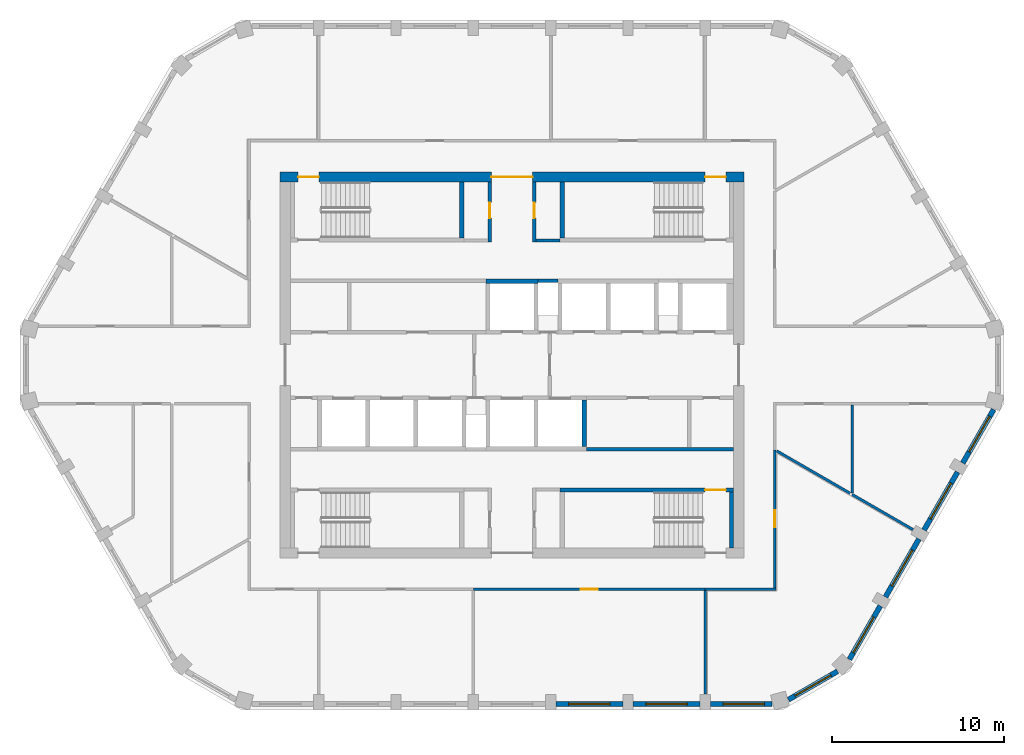
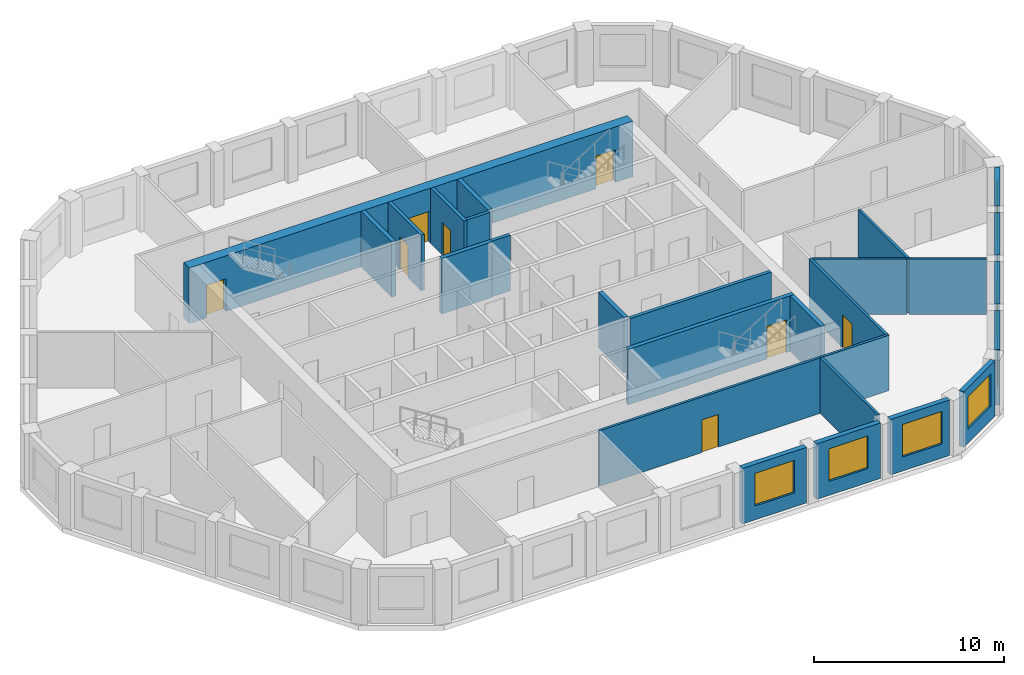
# One storey, part 4 of 10: 27 walls, 8 doors, 8 windows, 16 openings.
"""IFC4 building model written with IfcOpenShell, lengths in metres."""

from ifc_helpers import new_model, si_unit, direction, frame, frame_2d, origin, place, context, subcontext, project, spatial, polyline, rectangle, outline, extrude, material, layer, layer_set, type_object, element, fill, save


model = new_model("IFC4")

# Units and contexts
model_context = context("Model", 3, precision=1e-05, world=origin(), true_north=direction((0.0, 1.0)))
body_context = subcontext(model_context, "Body", "Model", "MODEL_VIEW")
ifc_project = project(units=[si_unit("LENGTHUNIT", "METRE"), si_unit("AREAUNIT", "SQUARE_METRE"), si_unit("VOLUMEUNIT", "CUBIC_METRE"), si_unit("PLANEANGLEUNIT", "RADIAN"), si_unit("MASSUNIT", "GRAM", prefix="KILO")], contexts=[model_context])

# Site, building, storey
site_placement = place(None, origin())
site = spatial("IfcSite", under=ifc_project, at=site_placement, CompositionType="ELEMENT")
building_placement = place(site_placement, origin())
building = spatial("IfcBuilding", under=site, at=building_placement, Name="Dhurran Vertical Campus", CompositionType="ELEMENT")
storey_placement = place(building_placement, frame((0.0, 0.0, 298.199951171875)))
storey = spatial("IfcBuildingStorey", under=building, at=storey_placement, Name="L74", CompositionType="ELEMENT", Elevation=298.199951171875)

# Wall, opening, window
ifc_material_1 = material(Name="Precast concrete C50/60", Category="concrete")
ifc_layer_1 = layer(ifc_material_1, 0.300048828125)
ifc_layer_set_1 = layer_set([ifc_layer_1], Name="Precast concrete C50/60")
wall_type_1 = type_object("IfcWallType", Name="Precast spandrel wall 300", PredefinedType="SOLIDWALL", material=ifc_layer_set_1)
wall_1_placement = place(storey_placement, frame((2.550537109375, -19.738525390625, 0.0), z_axis=(0.0, 0.0, 1.0), x_axis=(1.0, 0.0, 0.0)))
wall_1 = element("IfcWall", 1, at=wall_1_placement, inside=storey, type_object=wall_type_1, Name="EW1 L74.04", PredefinedType="SOLIDWALL", context=body_context, shape_type="SweptSolid", body=[
    extrude(rectangle(XDim=3.89892578125, YDim=0.300048828125, at=frame_2d((1.949462890625, 0.0))), origin(), (0.0, 0.0, 1.0), 3.574951171875),
])
opening_1_placement = place(wall_1_placement, frame((0.74951171875, 0.0, 0.89990234375)))
opening_1 = element("IfcOpeningElement", 2, at=opening_1_placement, cuts=wall_1, Name="Opening WT1", PredefinedType="OPENING", context=body_context, shape_type="SweptSolid", body=[
    extrude(rectangle(XDim=2.39990234375, YDim=2.10009765625, at=frame_2d((1.199951171875, 1.050048828125))), frame((0.0, 0.159912109375, 0.0), z_axis=(0.0, -1.0, 0.0), x_axis=(1.0, 0.0, 0.0)), (0.0, 0.0, 1.0), 0.320068359375),
])
ifc_material_2 = material(Name="Aluminium frame with solar-control glass", Category="aluminium")
window_type = type_object("IfcWindowType", Name="Punched window 2400 x 2100", PartitioningType="SINGLE_PANEL", PredefinedType="WINDOW", material=ifc_material_2)
window_1_placement = place(opening_1_placement, origin())
window_1 = element("IfcWindow", 3, at=window_1_placement, inside=storey, type_object=window_type, Name="WT1 L74.04", OverallHeight=2.10009765625, OverallWidth=2.39990234375, PartitioningType="SINGLE_PANEL", PredefinedType="WINDOW", context=body_context, shape_type="SweptSolid", body=[
    extrude(rectangle(XDim=2.39990234375, YDim=2.10009765625, at=frame_2d((1.199951171875, 1.050048828125))), frame((0.0, 0.030029296875, 0.0), z_axis=(0.0, -1.0, 0.0), x_axis=(1.0, 0.0, 0.0)), (0.0, 0.0, 1.0), 0.06005859375),
])
fill(opening_1, window_1)

wall_2_placement = place(storey_placement, frame((7.050537109375, -19.738525390625, 0.0), z_axis=(0.0, 0.0, 1.0), x_axis=(1.0, 0.0, 0.0)))
wall_2 = element("IfcWall", 4, at=wall_2_placement, inside=storey, type_object=wall_type_1, Name="EW1 L74.05", PredefinedType="SOLIDWALL", context=body_context, shape_type="SweptSolid", body=[
    extrude(rectangle(XDim=3.89892578125, YDim=0.300048828125, at=frame_2d((1.949462890625, 0.0))), origin(), (0.0, 0.0, 1.0), 3.574951171875),
])
opening_2_placement = place(wall_2_placement, frame((0.74951171875, 0.0, 0.89990234375)))
opening_2 = element("IfcOpeningElement", 5, at=opening_2_placement, cuts=wall_2, Name="Opening WT1", PredefinedType="OPENING", context=body_context, shape_type="SweptSolid", body=[
    extrude(rectangle(XDim=2.39990234375, YDim=2.10009765625, at=frame_2d((1.199951171875, 1.050048828125))), frame((0.0, 0.159912109375, 0.0), z_axis=(0.0, -1.0, 0.0), x_axis=(1.0, 0.0, 0.0)), (0.0, 0.0, 1.0), 0.320068359375),
])
window_2_placement = place(opening_2_placement, origin())
window_2 = element("IfcWindow", 6, at=window_2_placement, inside=storey, type_object=window_type, Name="WT1 L74.05", OverallHeight=2.10009765625, OverallWidth=2.39990234375, PartitioningType="SINGLE_PANEL", PredefinedType="WINDOW", context=body_context, shape_type="SweptSolid", body=[
    extrude(rectangle(XDim=2.39990234375, YDim=2.10009765625, at=frame_2d((1.199951171875, 1.050048828125))), frame((0.0, 0.030029296875, 0.0), z_axis=(0.0, -1.0, 0.0), x_axis=(1.0, 0.0, 0.0)), (0.0, 0.0, 1.0), 0.06005859375),
])
fill(opening_2, window_2)

wall_3_placement = place(storey_placement, frame((11.550537109375, -19.738525390625, 0.0), z_axis=(0.0, 0.0, 1.0), x_axis=(1.0, 0.0, 0.0)))
wall_3 = element("IfcWall", 7, at=wall_3_placement, inside=storey, type_object=wall_type_1, Name="EW1 L74.06", PredefinedType="SOLIDWALL", context=body_context, shape_type="SweptSolid", body=[
    extrude(rectangle(XDim=3.599365234375, YDim=0.300048828125, at=frame_2d((1.7998046875, 0.0))), origin(), (0.0, 0.0, 1.0), 3.574951171875),
])
opening_3_placement = place(wall_3_placement, frame((0.74951171875, 0.0, 0.89990234375)))
opening_3 = element("IfcOpeningElement", 8, at=opening_3_placement, cuts=wall_3, Name="Opening WT1", PredefinedType="OPENING", context=body_context, shape_type="SweptSolid", body=[
    extrude(rectangle(XDim=2.39990234375, YDim=2.10009765625, at=frame_2d((1.199951171875, 1.050048828125))), frame((0.0, 0.159912109375, 0.0), z_axis=(0.0, -1.0, 0.0), x_axis=(1.0, 0.0, 0.0)), (0.0, 0.0, 1.0), 0.320068359375),
])
window_3_placement = place(opening_3_placement, origin())
window_3 = element("IfcWindow", 9, at=window_3_placement, inside=storey, type_object=window_type, Name="WT1 L74.06", OverallHeight=2.10009765625, OverallWidth=2.39990234375, PartitioningType="SINGLE_PANEL", PredefinedType="WINDOW", context=body_context, shape_type="SweptSolid", body=[
    extrude(rectangle(XDim=2.39990234375, YDim=2.10009765625, at=frame_2d((1.199951171875, 1.050048828125))), frame((0.0, 0.030029296875, 0.0), z_axis=(0.0, -1.0, 0.0), x_axis=(1.0, 0.0, 0.0)), (0.0, 0.0, 1.0), 0.06005859375),
])
fill(opening_3, window_3)

wall_4_placement = place(storey_placement, frame((16.0947265625, -19.4853515625, 0.0), z_axis=(0.0, 0.0, 1.0), x_axis=(0.866021716278, 0.500006386895, 0.0)))
wall_4 = element("IfcWall", 10, at=wall_4_placement, inside=storey, type_object=wall_type_1, Name="EW1 L74.07", PredefinedType="SOLIDWALL", context=body_context, shape_type="SweptSolid", body=[
    extrude(rectangle(XDim=3.2998046875, YDim=0.300048828125, at=frame_2d((1.64990234375, 0.0))), origin(), (0.0, 0.0, 1.0), 3.574951171875),
])
opening_4_placement = place(wall_4_placement, frame((0.449951171875, 0.0, 0.89990234375)))
opening_4 = element("IfcOpeningElement", 11, at=opening_4_placement, cuts=wall_4, Name="Opening WT1", PredefinedType="OPENING", context=body_context, shape_type="SweptSolid", body=[
    extrude(rectangle(XDim=2.39990234375, YDim=2.10009765625, at=frame_2d((1.199951171875, 1.050048828125))), frame((0.0, 0.159912109375, 0.0), z_axis=(0.0, -1.0, 0.0), x_axis=(1.0, 0.0, 0.0)), (0.0, 0.0, 1.0), 0.320068359375),
])
window_4_placement = place(opening_4_placement, origin())
window_4 = element("IfcWindow", 12, at=window_4_placement, inside=storey, type_object=window_type, Name="WT1 L74.07", OverallHeight=2.10009765625, OverallWidth=2.39990234375, PartitioningType="SINGLE_PANEL", PredefinedType="WINDOW", context=body_context, shape_type="SweptSolid", body=[
    extrude(rectangle(XDim=2.39990234375, YDim=2.10009765625, at=frame_2d((1.199951171875, 1.050048828125))), frame((0.0, 0.030029296875, 0.0), z_axis=(0.0, -1.0, 0.0), x_axis=(1.0, 0.0, 0.0)), (0.0, 0.0, 1.0), 0.06005859375),
])
fill(opening_4, window_4)

wall_5_placement = place(storey_placement, frame((19.64404296875, -17.143798828125, 0.0), z_axis=(0.0, 0.0, 1.0), x_axis=(0.50001992892, 0.866013897511, 0.0)))
wall_5 = element("IfcWall", 13, at=wall_5_placement, inside=storey, type_object=wall_type_1, Name="EW1 L74.08", PredefinedType="SOLIDWALL", context=body_context, shape_type="SweptSolid", body=[
    extrude(rectangle(XDim=3.599365234375, YDim=0.300048828125, at=frame_2d((1.7998046875, 0.0))), origin(), (0.0, 0.0, 1.0), 3.574951171875),
])
opening_5_placement = place(wall_5_placement, frame((0.449951171875, 0.0, 0.89990234375)))
opening_5 = element("IfcOpeningElement", 14, at=opening_5_placement, cuts=wall_5, Name="Opening WT1", PredefinedType="OPENING", context=body_context, shape_type="SweptSolid", body=[
    extrude(rectangle(XDim=2.39990234375, YDim=2.10009765625, at=frame_2d((1.199951171875, 1.050048828125))), frame((0.0, 0.159912109375, 0.0), z_axis=(0.0, -1.0, 0.0), x_axis=(1.0, 0.0, 0.0)), (0.0, 0.0, 1.0), 0.320068359375),
])
window_5_placement = place(opening_5_placement, origin())
window_5 = element("IfcWindow", 15, at=window_5_placement, inside=storey, type_object=window_type, Name="WT1 L74.08", OverallHeight=2.10009765625, OverallWidth=2.39990234375, PartitioningType="SINGLE_PANEL", PredefinedType="WINDOW", context=body_context, shape_type="SweptSolid", body=[
    extrude(rectangle(XDim=2.39990234375, YDim=2.10009765625, at=frame_2d((1.199951171875, 1.050048828125))), frame((0.0, 0.030029296875, 0.0), z_axis=(0.0, -1.0, 0.0), x_axis=(1.0, 0.0, 0.0)), (0.0, 0.0, 1.0), 0.06005859375),
])
fill(opening_5, window_5)

wall_6_placement = place(storey_placement, frame((21.744384765625, -13.506103515625, 0.0), z_axis=(0.0, 0.0, 1.0), x_axis=(0.499984428715, 0.866034393683, 0.0)))
wall_6 = element("IfcWall", 16, at=wall_6_placement, inside=storey, type_object=wall_type_1, Name="EW1 L74.09", PredefinedType="SOLIDWALL", context=body_context, shape_type="SweptSolid", body=[
    extrude(rectangle(XDim=3.89892578125, YDim=0.300048828125, at=frame_2d((1.949462890625, 0.0))), origin(), (0.0, 0.0, 1.0), 3.574951171875),
])
opening_6_placement = place(wall_6_placement, frame((0.74951171875, 0.0, 0.89990234375)))
opening_6 = element("IfcOpeningElement", 17, at=opening_6_placement, cuts=wall_6, Name="Opening WT1", PredefinedType="OPENING", context=body_context, shape_type="SweptSolid", body=[
    extrude(rectangle(XDim=2.39990234375, YDim=2.10009765625, at=frame_2d((1.199951171875, 1.050048828125))), frame((0.0, 0.159912109375, 0.0), z_axis=(0.0, -1.0, 0.0), x_axis=(1.0, 0.0, 0.0)), (0.0, 0.0, 1.0), 0.320068359375),
])
window_6_placement = place(opening_6_placement, origin())
window_6 = element("IfcWindow", 18, at=window_6_placement, inside=storey, type_object=window_type, Name="WT1 L74.09", OverallHeight=2.10009765625, OverallWidth=2.39990234375, PartitioningType="SINGLE_PANEL", PredefinedType="WINDOW", context=body_context, shape_type="SweptSolid", body=[
    extrude(rectangle(XDim=2.39990234375, YDim=2.10009765625, at=frame_2d((1.199951171875, 1.050048828125))), frame((0.0, 0.030029296875, 0.0), z_axis=(0.0, -1.0, 0.0), x_axis=(1.0, 0.0, 0.0)), (0.0, 0.0, 1.0), 0.06005859375),
])
fill(opening_6, window_6)

wall_7_placement = place(storey_placement, frame((23.994384765625, -9.60888671875, 0.0), z_axis=(0.0, 0.0, 1.0), x_axis=(0.500011542666, 0.866018739521, 0.0)))
wall_7 = element("IfcWall", 19, at=wall_7_placement, inside=storey, type_object=wall_type_1, Name="EW1 L74.10", PredefinedType="SOLIDWALL", context=body_context, shape_type="SweptSolid", body=[
    extrude(rectangle(XDim=3.89892578125, YDim=0.300048828125, at=frame_2d((1.949462890625, 0.0))), origin(), (0.0, 0.0, 1.0), 3.574951171875),
])
opening_7_placement = place(wall_7_placement, frame((0.74951171875, 0.0, 0.89990234375)))
opening_7 = element("IfcOpeningElement", 20, at=opening_7_placement, cuts=wall_7, Name="Opening WT1", PredefinedType="OPENING", context=body_context, shape_type="SweptSolid", body=[
    extrude(rectangle(XDim=2.39990234375, YDim=2.10009765625, at=frame_2d((1.199951171875, 1.050048828125))), frame((0.0, 0.159912109375, 0.0), z_axis=(0.0, -1.0, 0.0), x_axis=(1.0, 0.0, 0.0)), (0.0, 0.0, 1.0), 0.320068359375),
])
window_7_placement = place(opening_7_placement, origin())
window_7 = element("IfcWindow", 21, at=window_7_placement, inside=storey, type_object=window_type, Name="WT1 L74.10", OverallHeight=2.10009765625, OverallWidth=2.39990234375, PartitioningType="SINGLE_PANEL", PredefinedType="WINDOW", context=body_context, shape_type="SweptSolid", body=[
    extrude(rectangle(XDim=2.39990234375, YDim=2.10009765625, at=frame_2d((1.199951171875, 1.050048828125))), frame((0.0, 0.030029296875, 0.0), z_axis=(0.0, -1.0, 0.0), x_axis=(1.0, 0.0, 0.0)), (0.0, 0.0, 1.0), 0.06005859375),
])
fill(opening_7, window_7)

wall_8_placement = place(storey_placement, frame((26.244384765625, -5.7119140625, 0.0), z_axis=(0.0, 0.0, 1.0), x_axis=(0.499969057507, 0.866043267704, 0.0)))
wall_8 = element("IfcWall", 22, at=wall_8_placement, inside=storey, type_object=wall_type_1, Name="EW1 L74.11", PredefinedType="SOLIDWALL", context=body_context, shape_type="SweptSolid", body=[
    extrude(rectangle(XDim=3.599365234375, YDim=0.300048828125, at=frame_2d((1.7998046875, 0.0))), origin(), (0.0, 0.0, 1.0), 3.574951171875),
])
opening_8_placement = place(wall_8_placement, frame((0.74951171875, 0.0, 0.89990234375)))
opening_8 = element("IfcOpeningElement", 23, at=opening_8_placement, cuts=wall_8, Name="Opening WT1", PredefinedType="OPENING", context=body_context, shape_type="SweptSolid", body=[
    extrude(rectangle(XDim=2.39990234375, YDim=2.10009765625, at=frame_2d((1.199951171875, 1.050048828125))), frame((0.0, 0.159912109375, 0.0), z_axis=(0.0, -1.0, 0.0), x_axis=(1.0, 0.0, 0.0)), (0.0, 0.0, 1.0), 0.320068359375),
])
window_8_placement = place(opening_8_placement, origin())
window_8 = element("IfcWindow", 24, at=window_8_placement, inside=storey, type_object=window_type, Name="WT1 L74.11", OverallHeight=2.10009765625, OverallWidth=2.39990234375, PartitioningType="SINGLE_PANEL", PredefinedType="WINDOW", context=body_context, shape_type="SweptSolid", body=[
    extrude(rectangle(XDim=2.39990234375, YDim=2.10009765625, at=frame_2d((1.199951171875, 1.050048828125))), frame((0.0, 0.030029296875, 0.0), z_axis=(0.0, -1.0, 0.0), x_axis=(1.0, 0.0, 0.0)), (0.0, 0.0, 1.0), 0.06005859375),
])
fill(opening_8, window_8)

# Wall, openings, doors
ifc_material_3 = material(Name="Concrete C50/60", Category="concrete")
ifc_layer_2 = layer(ifc_material_3, 0.60009765625)
ifc_layer_set_2 = layer_set([ifc_layer_2], Name="Concrete C50/60")
wall_type_2 = type_object("IfcWallType", Name="co-CORE-WALL-C2-600", PredefinedType="SHEAR", material=ifc_layer_set_2)
wall_9_placement = place(storey_placement, frame((-13.5, 10.949951171875, 0.0), z_axis=(0.0, 0.0, 1.0), x_axis=(1.0, 0.0, 0.0)))
wall_9 = element("IfcWall", 25, at=wall_9_placement, inside=storey, type_object=wall_type_2, Name="Core wall N L74", PredefinedType="SHEAR", context=body_context, shape_type="SweptSolid", body=[
    extrude(rectangle(XDim=27.0, YDim=0.60009765625, at=frame_2d((13.5, 0.0))), origin(), (0.0, 0.0, 1.0), 3.574951171875),
])
opening_9_placement = place(wall_9_placement, frame((12.300048828125, 0.0, 0.0)))
opening_9 = element("IfcOpeningElement", 26, at=opening_9_placement, cuts=wall_9, Name="Opening CV1", PredefinedType="OPENING", context=body_context, shape_type="SweptSolid", body=[
    extrude(rectangle(XDim=2.39990234375, YDim=2.10009765625, at=frame_2d((1.199951171875, 1.050048828125))), frame((0.0, 0.31005859375, 0.0), z_axis=(0.0, -1.0, 0.0), x_axis=(1.0, 0.0, 0.0)), (0.0, 0.0, 1.0), 0.6201171875),
])
opening_10_placement = place(wall_9_placement, frame((1.050048828125, 0.0, 0.0)))
opening_10 = element("IfcOpeningElement", 27, at=opening_10_placement, cuts=wall_9, Name="Opening XD1", PredefinedType="OPENING", context=body_context, shape_type="SweptSolid", body=[
    extrude(rectangle(XDim=1.199951171875, YDim=2.10009765625, at=frame_2d((0.60009765625, 1.050048828125))), frame((0.0, 0.31005859375, 0.0), z_axis=(0.0, -1.0, 0.0), x_axis=(1.0, 0.0, 0.0)), (0.0, 0.0, 1.0), 0.6201171875),
])
opening_11_placement = place(wall_9_placement, frame((24.75, 0.0, 0.0)))
opening_11 = element("IfcOpeningElement", 28, at=opening_11_placement, cuts=wall_9, Name="Opening XD2", PredefinedType="OPENING", context=body_context, shape_type="SweptSolid", body=[
    extrude(rectangle(XDim=1.199951171875, YDim=2.10009765625, at=frame_2d((0.60009765625, 1.050048828125))), frame((0.0, 0.31005859375, 0.0), z_axis=(0.0, -1.0, 0.0), x_axis=(1.0, 0.0, 0.0)), (0.0, 0.0, 1.0), 0.6201171875),
])
ifc_material_4 = material(Name="Fire-rated glazed door set")
door_type_1 = type_object("IfcDoorType", Name="co-D-LOBBY 2400x2100", OperationType="DOUBLE_DOOR_DOUBLE_SWING", PredefinedType="DOOR", material=ifc_material_4)
door_1_placement = place(opening_9_placement, origin())
door_1 = element("IfcDoor", 29, at=door_1_placement, inside=storey, type_object=door_type_1, Name="Core vestibule door N L74", OperationType="DOUBLE_DOOR_DOUBLE_SWING", OverallHeight=2.10009765625, OverallWidth=2.39990234375, PredefinedType="DOOR", context=body_context, shape_type="SweptSolid", body=[
    extrude(rectangle(XDim=2.39990234375, YDim=2.10009765625, at=frame_2d((1.199951171875, 1.050048828125))), frame((0.0, 0.02490234375, 0.0), z_axis=(0.0, -1.0, 0.0), x_axis=(1.0, 0.0, 0.0)), (0.0, 0.0, 1.0), 0.050048828125),
])
fill(opening_9, door_1)
ifc_material_5 = material(Name="Fire-rated steel door set", Category="steel")
door_type_2 = type_object("IfcDoorType", Name="co-D-STAIR-EXIT 1200x2100", OperationType="SINGLE_SWING_RIGHT", PredefinedType="DOOR", material=ifc_material_5)
door_2_placement = place(opening_10_placement, origin())
door_2 = element("IfcDoor", 30, at=door_2_placement, inside=storey, type_object=door_type_2, Name="Stair ST1 exit door L74", OperationType="SINGLE_SWING_RIGHT", OverallHeight=2.10009765625, OverallWidth=1.199951171875, PredefinedType="DOOR", context=body_context, shape_type="SweptSolid", body=[
    extrude(rectangle(XDim=1.199951171875, YDim=2.10009765625, at=frame_2d((0.60009765625, 1.050048828125))), frame((0.0, 0.02490234375, 0.0), z_axis=(0.0, -1.0, 0.0), x_axis=(1.0, 0.0, 0.0)), (0.0, 0.0, 1.0), 0.050048828125),
])
fill(opening_10, door_2)
door_3_placement = place(opening_11_placement, origin())
door_3 = element("IfcDoor", 31, at=door_3_placement, inside=storey, type_object=door_type_2, Name="Stair ST2 exit door L74", OperationType="SINGLE_SWING_RIGHT", OverallHeight=2.10009765625, OverallWidth=1.199951171875, PredefinedType="DOOR", context=body_context, shape_type="SweptSolid", body=[
    extrude(rectangle(XDim=1.199951171875, YDim=2.10009765625, at=frame_2d((0.60009765625, 1.050048828125))), frame((0.0, 0.02490234375, 0.0), z_axis=(0.0, -1.0, 0.0), x_axis=(1.0, 0.0, 0.0)), (0.0, 0.0, 1.0), 0.050048828125),
])
fill(opening_11, door_3)

# Wall
ifc_material_6 = material(Name="Fire-rated masonry blockwork", Category="masonry")
ifc_layer_3 = layer(ifc_material_6, 0.199951171875)
ifc_layer_set_3 = layer_set([ifc_layer_3], Name="Fire-rated masonry blockwork")
wall_type_3 = type_object("IfcWallType", Name="co-FIRE-PARTITION-200", PredefinedType="PARTITIONING", material=ifc_layer_set_3)
wall_10_placement = place(storey_placement, frame((1.39990234375, 7.25, 0.0), z_axis=(0.0, 0.0, 1.0), x_axis=(1.0, 0.0, 0.0)))
element("IfcWall", 32, at=wall_10_placement, inside=storey, type_object=wall_type_3, Name="Core partition sl-NE-S L74", PredefinedType="PARTITIONING", context=body_context, shape_type="SweptSolid", body=[
    extrude(rectangle(XDim=1.400146484375, YDim=0.199951171875, at=frame_2d((0.7001953125, 0.0))), origin(), (0.0, 0.0, 1.0), 3.574951171875),
])

# Wall, opening, door
wall_11_placement = place(storey_placement, frame((-1.300048828125, 7.14990234375, 0.0), z_axis=(0.0, 0.0, 1.0), x_axis=(0.0, 1.0, 0.0)))
wall_11 = element("IfcWall", 33, at=wall_11_placement, inside=storey, type_object=wall_type_3, Name="Core partition vest-NW L74", PredefinedType="PARTITIONING", context=body_context, shape_type="SweptSolid", body=[
    extrude(rectangle(XDim=3.5, YDim=0.199951171875, at=frame_2d((1.75, 0.0))), origin(), (0.0, 0.0, 1.0), 3.574951171875),
])
opening_12_placement = place(wall_11_placement, frame((1.39990234375, 0.0, 0.0)))
opening_12 = element("IfcOpeningElement", 34, at=opening_12_placement, cuts=wall_11, Name="Opening T22-C3", PredefinedType="OPENING", context=body_context, shape_type="SweptSolid", body=[
    extrude(rectangle(XDim=0.89990234375, YDim=2.10009765625, at=frame_2d((0.449951171875, 1.050048828125))), frame((0.0, 0.10986328125, 0.0), z_axis=(0.0, -1.0, 0.0), x_axis=(1.0, 0.0, 0.0)), (0.0, 0.0, 1.0), 0.219970703125),
])
ifc_material_7 = material(Name="Fire-rated timber door set", Category="wood")
door_type_3 = type_object("IfcDoorType", Name="co-D-ROOM 900x2100", OperationType="SINGLE_SWING_LEFT", PredefinedType="DOOR", material=ifc_material_7)
door_4_placement = place(opening_12_placement, origin())
door_4 = element("IfcDoor", 35, at=door_4_placement, inside=storey, type_object=door_type_3, Name="Electrical riser door L74", OperationType="SINGLE_SWING_LEFT", OverallHeight=2.10009765625, OverallWidth=0.89990234375, PredefinedType="DOOR", context=body_context, shape_type="SweptSolid", body=[
    extrude(rectangle(XDim=0.89990234375, YDim=2.10009765625, at=frame_2d((0.449951171875, 1.050048828125))), frame((0.0, 0.02490234375, 0.0), z_axis=(0.0, -1.0, 0.0), x_axis=(1.0, 0.0, 0.0)), (0.0, 0.0, 1.0), 0.050048828125),
])
fill(opening_12, door_4)

wall_12_placement = place(storey_placement, frame((1.300048828125, 7.14990234375, 0.0), z_axis=(0.0, 0.0, 1.0), x_axis=(0.0, 1.0, 0.0)))
wall_12 = element("IfcWall", 36, at=wall_12_placement, inside=storey, type_object=wall_type_3, Name="Core partition vest-NE L74", PredefinedType="PARTITIONING", context=body_context, shape_type="SweptSolid", body=[
    extrude(rectangle(XDim=3.5, YDim=0.199951171875, at=frame_2d((1.75, 0.0))), origin(), (0.0, 0.0, 1.0), 3.574951171875),
])
opening_13_placement = place(wall_12_placement, frame((1.39990234375, 0.0, 0.0)))
opening_13 = element("IfcOpeningElement", 37, at=opening_13_placement, cuts=wall_12, Name="Opening T22-C4", PredefinedType="OPENING", context=body_context, shape_type="SweptSolid", body=[
    extrude(rectangle(XDim=0.89990234375, YDim=2.10009765625, at=frame_2d((0.449951171875, 1.050048828125))), frame((0.0, 0.10986328125, 0.0), z_axis=(0.0, -1.0, 0.0), x_axis=(1.0, 0.0, 0.0)), (0.0, 0.0, 1.0), 0.219970703125),
])
door_5_placement = place(opening_13_placement, origin())
door_5 = element("IfcDoor", 38, at=door_5_placement, inside=storey, type_object=door_type_3, Name="Print room door L74", OperationType="SINGLE_SWING_LEFT", OverallHeight=2.10009765625, OverallWidth=0.89990234375, PredefinedType="DOOR", context=body_context, shape_type="SweptSolid", body=[
    extrude(rectangle(XDim=0.89990234375, YDim=2.10009765625, at=frame_2d((0.449951171875, 1.050048828125))), frame((0.0, 0.02490234375, 0.0), z_axis=(0.0, -1.0, 0.0), x_axis=(1.0, 0.0, 0.0)), (0.0, 0.0, 1.0), 0.050048828125),
])
fill(opening_13, door_5)

# Walls
wall_13_placement = place(storey_placement, frame((1.52490234375, 4.89990234375, 0.0), z_axis=(0.0, 0.0, 1.0), x_axis=(1.0, 0.0, 0.0)))
element("IfcWall", 39, at=wall_13_placement, inside=storey, type_object=wall_type_3, Name="Core partition fr-N1-b L74", PredefinedType="PARTITIONING", context=body_context, shape_type="SweptSolid", body=[
    extrude(rectangle(XDim=1.150146484375, YDim=0.199951171875, at=frame_2d((0.5751953125, 0.0))), origin(), (0.0, 0.0, 1.0), 3.574951171875),
])
wall_14_placement = place(storey_placement, frame((4.324951171875, -4.89990234375, 0.0), z_axis=(0.0, 0.0, 1.0), x_axis=(1.0, 0.0, 0.0)))
element("IfcWall", 40, at=wall_14_placement, inside=storey, type_object=wall_type_3, Name="Core partition fr-S2-b L74", PredefinedType="PARTITIONING", context=body_context, shape_type="SweptSolid", body=[
    extrude(rectangle(XDim=8.574951171875, YDim=0.199951171875, at=frame_2d((4.28759765625, 0.0))), origin(), (0.0, 0.0, 1.0), 3.574951171875),
])
ifc_material_8 = material(Name="Concrete C50/60", Category="concrete")
ifc_layer_4 = layer(ifc_material_8, 0.25)
ifc_layer_set_4 = layer_set([ifc_layer_4], Name="Concrete C50/60")
wall_type_4 = type_object("IfcWallType", Name="co-SHAFT-MASS-250", PredefinedType="SHEAR", material=ifc_layer_set_4)
wall_15_placement = place(storey_placement, origin())
element("IfcWall", 41, at=wall_15_placement, inside=storey, type_object=wall_type_4, Name="Lift shaft wall N L74 1", PredefinedType="SHEAR", context=body_context, shape_type="SweptSolid", body=[
    extrude(outline(polyline([(-1.52490234375, 4.75), (1.52490234375, 4.75), (1.52490234375, 5.0), (-1.52490234375, 5.0), (-1.52490234375, 4.75)])), origin(), (0.0, 0.0, 1.0), 3.574951171875),
])
wall_16_placement = place(storey_placement, origin())
element("IfcWall", 42, at=wall_16_placement, inside=storey, type_object=wall_type_4, Name="Lift shaft wall S L74 9", PredefinedType="SHEAR", context=body_context, shape_type="SweptSolid", body=[
    extrude(outline(polyline([(4.074951171875, -4.75), (4.324951171875, -4.75), (4.324951171875, -2.050048828125), (4.074951171875, -2.050048828125), (4.074951171875, -4.75)])), origin(), (0.0, 0.0, 1.0), 3.574951171875),
])
ifc_material_9 = material(Name="Concrete C40/50", Category="concrete")
ifc_layer_5 = layer(ifc_material_9, 0.25)
ifc_layer_set_5 = layer_set([ifc_layer_5], Name="Concrete C40/50")
wall_type_5 = type_object("IfcWallType", Name="co-STAIR-WALL-250", PredefinedType="SHEAR", material=ifc_layer_set_5)
for number, where, z_axis, x_axis, name in (
    (43, (-2.925048828125, 7.39990234375, 0.0), (0.0, 0.0, 1.0), (0.0, 1.0, 0.0), "Stair ST1 enclosure wall L74"),
    (44, (2.925048828125, 7.39990234375, 0.0), (0.0, 0.0, 1.0), (0.0, 1.0, 0.0), "Stair ST2 enclosure wall L74"),
):
    element("IfcWall", number, at=place(storey_placement, frame(where, z_axis=z_axis, x_axis=x_axis)), inside=storey, type_object=wall_type_5, Name=name, PredefinedType="SHEAR", context=body_context, shape_type="SweptSolid", body=[
        extrude(rectangle(XDim=3.25, YDim=0.25, at=frame_2d((1.625, 0.0))), origin(), (0.0, 0.0, 1.0), 3.574951171875),
    ])

# Wall, opening, door
wall_17_placement = place(storey_placement, frame((2.800048828125, -7.27490234375, 0.0), z_axis=(0.0, 0.0, 1.0), x_axis=(1.0, 0.0, 0.0)))
wall_17 = element("IfcWall", 45, at=wall_17_placement, inside=storey, type_object=wall_type_5, Name="Stair ST4 enclosure wall L74", PredefinedType="SHEAR", context=body_context, shape_type="SweptSolid", body=[
    extrude(rectangle(XDim=10.099853515625, YDim=0.25, at=frame_2d((5.0498046875, 0.0))), origin(), (0.0, 0.0, 1.0), 3.574951171875),
])
opening_14_placement = place(wall_17_placement, frame((8.449951171875, 0.0, 0.0)))
opening_14 = element("IfcOpeningElement", 46, at=opening_14_placement, cuts=wall_17, Name="Opening SD4", PredefinedType="OPENING", context=body_context, shape_type="SweptSolid", body=[
    extrude(rectangle(XDim=1.199951171875, YDim=2.10009765625, at=frame_2d((0.60009765625, 1.050048828125))), frame((0.0, 0.135009765625, 0.0), z_axis=(0.0, -1.0, 0.0), x_axis=(1.0, 0.0, 0.0)), (0.0, 0.0, 1.0), 0.27001953125),
])
ifc_material_10 = material(Name="Fire-rated steel door set", Category="steel")
door_type_4 = type_object("IfcDoorType", Name="co-D-STAIR 1200x2100", OperationType="SINGLE_SWING_LEFT", PredefinedType="DOOR", material=ifc_material_10)
door_6_placement = place(opening_14_placement, origin())
door_6 = element("IfcDoor", 47, at=door_6_placement, inside=storey, type_object=door_type_4, Name="Stair ST4 door L74", OperationType="SINGLE_SWING_LEFT", OverallHeight=2.10009765625, OverallWidth=1.199951171875, PredefinedType="DOOR", context=body_context, shape_type="SweptSolid", body=[
    extrude(rectangle(XDim=1.199951171875, YDim=2.10009765625, at=frame_2d((0.60009765625, 1.050048828125))), frame((0.0, 0.02490234375, 0.0), z_axis=(0.0, -1.0, 0.0), x_axis=(1.0, 0.0, 0.0)), (0.0, 0.0, 1.0), 0.050048828125),
])
fill(opening_14, door_6)

# Wall
wall_18_placement = place(storey_placement, frame((12.77490234375, -10.64990234375, 0.0), z_axis=(0.0, 0.0, 1.0), x_axis=(0.0, 1.0, 0.0)))
element("IfcWall", 48, at=wall_18_placement, inside=storey, type_object=wall_type_5, Name="Stair ST4 enclosure wall L74", PredefinedType="SHEAR", context=body_context, shape_type="SweptSolid", body=[
    extrude(rectangle(XDim=3.25, YDim=0.25, at=frame_2d((1.625, 0.0))), origin(), (0.0, 0.0, 1.0), 3.574951171875),
])

# Wall, opening, door
ifc_material_11 = material(Name="Gypsum board corridor wall on steel studs", Category="steel")
ifc_layer_6 = layer(ifc_material_11, 0.14990234375)
ifc_layer_set_6 = layer_set([ifc_layer_6], Name="Gypsum board corridor wall on steel studs")
wall_type_6 = type_object("IfcWallType", Name="fl-CW-150 corridor wall", PredefinedType="PARTITIONING", material=ifc_layer_set_6)
wall_19_placement = place(storey_placement, frame((-2.25, -13.050048828125, 0.0), z_axis=(0.0, 0.0, 1.0), x_axis=(1.0, 0.0, 0.0)))
wall_19 = element("IfcWall", 49, at=wall_19_placement, inside=storey, type_object=wall_type_6, Name="Partition 74-25", PredefinedType="PARTITIONING", context=body_context, shape_type="SweptSolid", body=[
    extrude(rectangle(XDim=13.5, YDim=0.14990234375, at=frame_2d((6.75, 0.0))), origin(), (0.0, 0.0, 1.0), 3.574951171875),
])
opening_15_placement = place(wall_19_placement, frame((6.25, 0.0, 0.0)))
opening_15 = element("IfcOpeningElement", 50, at=opening_15_placement, cuts=wall_19, Name="Opening T22.10", PredefinedType="OPENING", context=body_context, shape_type="SweptSolid", body=[
    extrude(rectangle(XDim=1.0, YDim=2.10009765625, at=frame_2d((0.5, 1.050048828125))), frame((0.0, 0.0849609375, 0.0), z_axis=(0.0, -1.0, 0.0), x_axis=(1.0, 0.0, 0.0)), (0.0, 0.0, 1.0), 0.169921875),
])
ifc_material_12 = material(Name="Solid-core timber door set, fire-rated", Category="wood")
door_type_5 = type_object("IfcDoorType", Name="fl-D-1000x2100", OperationType="SINGLE_SWING_LEFT", PredefinedType="DOOR", material=ifc_material_12)
door_7_placement = place(opening_15_placement, origin())
door_7 = element("IfcDoor", 51, at=door_7_placement, inside=storey, type_object=door_type_5, Name="Door 74.10", OperationType="SINGLE_SWING_RIGHT", OverallHeight=2.10009765625, OverallWidth=1.0, PredefinedType="DOOR", context=body_context, shape_type="SweptSolid", body=[
    extrude(rectangle(XDim=1.0, YDim=2.10009765625, at=frame_2d((0.5, 1.050048828125))), frame((0.0, 0.02490234375, 0.0), z_axis=(0.0, -1.0, 0.0), x_axis=(1.0, 0.0, 0.0)), (0.0, 0.0, 1.0), 0.050048828125),
])
fill(opening_15, door_7)

# Wall
wall_20_placement = place(storey_placement, frame((11.25, -13.050048828125, 0.0), z_axis=(0.0, 0.0, 1.0), x_axis=(1.0, 0.0, 0.0)))
element("IfcWall", 52, at=wall_20_placement, inside=storey, type_object=wall_type_6, Name="Partition 74-29", PredefinedType="PARTITIONING", context=body_context, shape_type="SweptSolid", body=[
    extrude(rectangle(XDim=4.125, YDim=0.14990234375, at=frame_2d((2.0625, 0.0))), origin(), (0.0, 0.0, 1.0), 3.574951171875),
])

# Wall, opening, door
wall_21_placement = place(storey_placement, frame((15.300048828125, -12.97509765625, 0.0), z_axis=(0.0, 0.0, 1.0), x_axis=(0.0, 1.0, 0.0)))
wall_21 = element("IfcWall", 53, at=wall_21_placement, inside=storey, type_object=wall_type_6, Name="Partition 74-32", PredefinedType="PARTITIONING", context=body_context, shape_type="SweptSolid", body=[
    extrude(rectangle(XDim=8.0390625, YDim=0.14990234375, at=frame_2d((4.01953125, 0.0))), origin(), (0.0, 0.0, 1.0), 3.574951171875),
])
opening_16_placement = place(wall_21_placement, frame((3.51953125, 0.0, 0.0)))
opening_16 = element("IfcOpeningElement", 54, at=opening_16_placement, cuts=wall_21, Name="Opening T22.13", PredefinedType="OPENING", context=body_context, shape_type="SweptSolid", body=[
    extrude(rectangle(XDim=1.0, YDim=2.10009765625, at=frame_2d((0.5, 1.050048828125))), frame((0.0, 0.0849609375, 0.0), z_axis=(0.0, -1.0, 0.0), x_axis=(1.0, 0.0, 0.0)), (0.0, 0.0, 1.0), 0.169921875),
])
door_8_placement = place(opening_16_placement, origin())
door_8 = element("IfcDoor", 55, at=door_8_placement, inside=storey, type_object=door_type_5, Name="Door 74.13", OperationType="SINGLE_SWING_LEFT", OverallHeight=2.10009765625, OverallWidth=1.0, PredefinedType="DOOR", context=body_context, shape_type="SweptSolid", body=[
    extrude(rectangle(XDim=1.0, YDim=2.10009765625, at=frame_2d((0.5, 1.050048828125))), frame((0.0, 0.02490234375, 0.0), z_axis=(0.0, -1.0, 0.0), x_axis=(1.0, 0.0, 0.0)), (0.0, 0.0, 1.0), 0.050048828125),
])
fill(opening_16, door_8)

# Walls
ifc_material_13 = material(Name="Gypsum board partition on steel studs", Category="steel")
ifc_layer_7 = layer(ifc_material_13, 0.14990234375)
ifc_layer_set_7 = layer_set([ifc_layer_7], Name="Gypsum board partition on steel studs")
wall_type_7 = type_object("IfcWallType", Name="fl-PW-150 fixed partition", PredefinedType="PARTITIONING", material=ifc_layer_set_7)
wall_22_placement = place(storey_placement, frame((11.25, -13.125, 0.0), z_axis=(0.0, 0.0, 1.0), x_axis=(0.0, -1.0, 0.0)))
element("IfcWall", 56, at=wall_22_placement, inside=storey, type_object=wall_type_7, Name="Partition 74-28", PredefinedType="PARTITIONING", context=body_context, shape_type="SweptSolid", body=[
    extrude(rectangle(XDim=6.04345703125, YDim=0.14990234375, at=frame_2d((3.021728515625, 0.0))), origin(), (0.0, 0.0, 1.0), 3.574951171875),
])
wall_23_placement = place(storey_placement, frame((15.41259765625, -5.0009765625, 0.0), z_axis=(0.0, 0.0, 1.0), x_axis=(0.866034039096, -0.499985042903, 0.0)))
element("IfcWall", 57, at=wall_23_placement, inside=storey, type_object=wall_type_7, Name="Partition 74-34", PredefinedType="PARTITIONING", context=body_context, shape_type="SweptSolid", body=[
    extrude(rectangle(XDim=4.936279296875, YDim=0.14990234375, at=frame_2d((2.46826171875, 0.0))), origin(), (0.0, 0.0, 1.0), 3.574951171875),
])
wall_24_placement = place(storey_placement, frame((19.800048828125, -2.324951171875, 0.0), z_axis=(0.0, 0.0, 1.0), x_axis=(0.0, -1.0, 0.0)))
element("IfcWall", 58, at=wall_24_placement, inside=storey, type_object=wall_type_7, Name="Partition 74-42", PredefinedType="PARTITIONING", context=body_context, shape_type="SweptSolid", body=[
    extrude(rectangle(XDim=5.134033203125, YDim=0.14990234375, at=frame_2d((2.56689453125, 0.0))), origin(), (0.0, 0.0, 1.0), 3.574951171875),
])
wall_25_placement = place(storey_placement, frame((19.800048828125, -7.533935546875, 0.0), z_axis=(0.0, 0.0, 1.0), x_axis=(0.865995170514, -0.500052361904, 0.0)))
element("IfcWall", 59, at=wall_25_placement, inside=storey, type_object=wall_type_7, Name="Partition 74-43", PredefinedType="PARTITIONING", context=body_context, shape_type="SweptSolid", body=[
    extrude(rectangle(XDim=4.099609375, YDim=0.14990234375, at=frame_2d((2.0498046875, 0.0))), origin(), (0.0, 0.0, 1.0), 3.574951171875),
])

save(model, "model.ifc")
